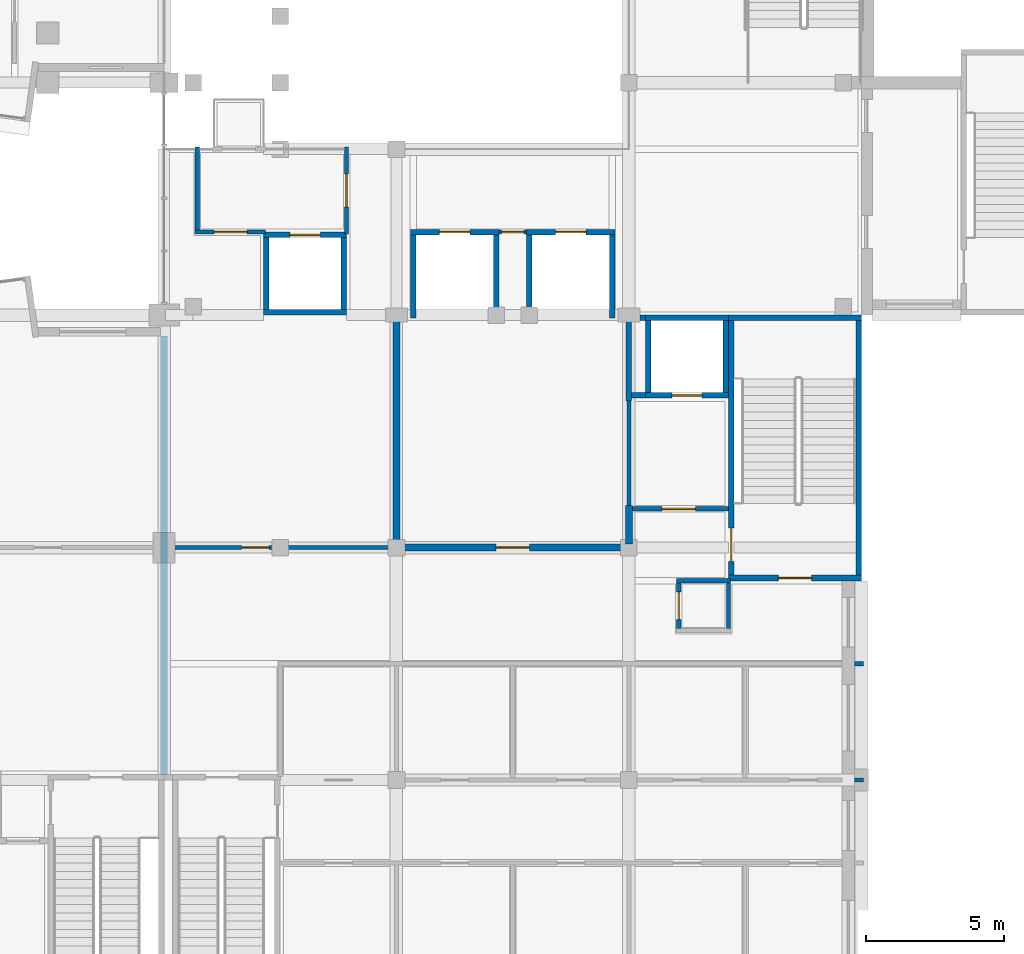
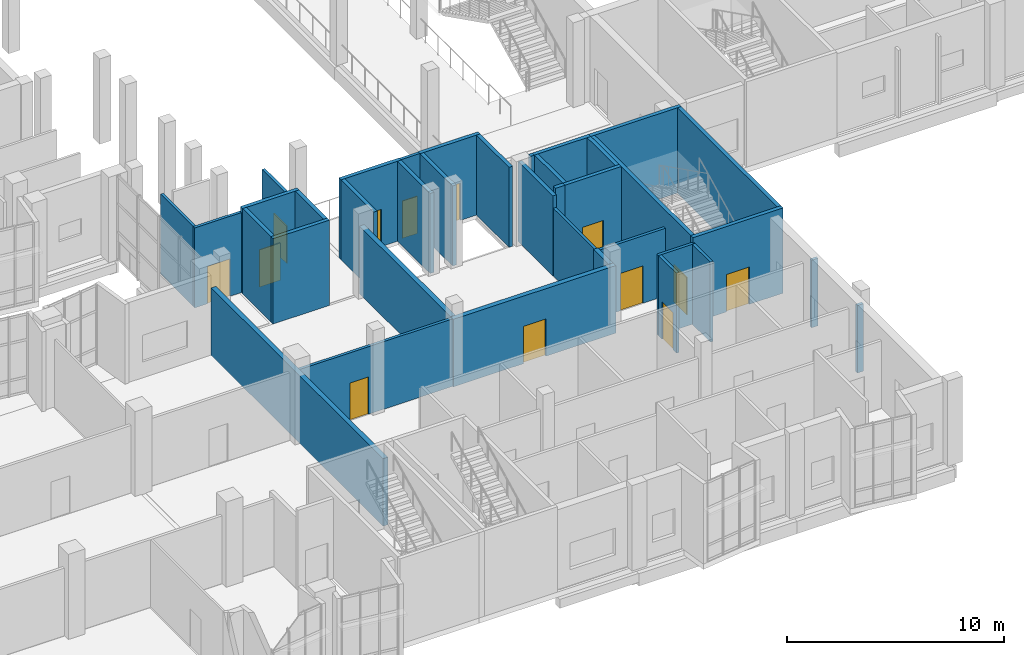
# One storey, part 32 of 91: 37 walls, 13 doors, 13 openings.
"""IFC4 building model written with IfcOpenShell, lengths in metres."""

from ifc_helpers import new_model, si_unit, direction, frame, frame_2d, origin, place, context, subcontext, project, spatial, rectangle, extrude, material, layer, layer_set, type_object, element, fill, save


model = new_model("IFC4")

# Units and contexts
model_context = context("Model", 3, precision=1e-05, world=origin(), true_north=direction((0.0, 1.0)))
body_context = subcontext(model_context, "Body", "Model", "MODEL_VIEW")
ifc_project = project(units=[si_unit("LENGTHUNIT", "METRE"), si_unit("AREAUNIT", "SQUARE_METRE"), si_unit("VOLUMEUNIT", "CUBIC_METRE"), si_unit("PLANEANGLEUNIT", "RADIAN"), si_unit("MASSUNIT", "GRAM", prefix="KILO")], contexts=[model_context])

# Site, building, storey
site_placement = place(None, origin())
site = spatial("IfcSite", under=ifc_project, at=site_placement, CompositionType="ELEMENT")
building_placement = place(site_placement, origin())
building = spatial("IfcBuilding", under=site, at=building_placement, Name="Kiln Court Media Centre", CompositionType="ELEMENT")
storey_placement = place(building_placement, frame((0.0, 0.0, 5.39990234375)))
storey = spatial("IfcBuildingStorey", under=building, at=storey_placement, Name="L01", CompositionType="ELEMENT", Elevation=5.39990234375)

# Wall
ifc_material_1 = material(Name="Concrete block masonry M10", Category="masonry")
ifc_layer_1 = layer(ifc_material_1, 0.25)
ifc_layer_set_1 = layer_set([ifc_layer_1], Name="Block fire wall 250 EI 240")
wall_type_1 = type_object("IfcWallType", Name="Block fire wall 250 EI 240", PredefinedType="SOLIDWALL", material=ifc_layer_set_1)
wall_1_placement = place(storey_placement, frame((33.60009765625, 8.60009765625, 0.0), z_axis=(0.0, 0.0, 1.0), x_axis=(0.0, 1.0, 0.0)))
element("IfcWall", 1, at=wall_1_placement, inside=storey, type_object=wall_type_1, Name="L01 block fire wall", PredefinedType="SOLIDWALL", context=body_context, shape_type="SweptSolid", body=[
    extrude(rectangle(XDim=15.849853515625, YDim=0.25, at=frame_2d((7.9248046875, 0.0))), origin(), (0.0, 0.0, 1.0), 3.800048828125),
])

# Wall, opening, door
ifc_material_2 = material(Name="Concrete block masonry M7.5", Category="masonry")
ifc_layer_2 = layer(ifc_material_2, 0.14990234375)
ifc_layer_set_2 = layer_set([ifc_layer_2], Name="Block lobby wall 150 EI 120")
wall_type_2 = type_object("IfcWallType", Name="Block lobby wall 150 EI 120", PredefinedType="SOLIDWALL", material=ifc_layer_set_2)
wall_2_placement = place(storey_placement, frame((50.52490234375, 18.199951171875, 0.0), z_axis=(0.0, 0.0, 1.0), x_axis=(1.0, 0.0, 0.0)))
wall_2 = element("IfcWall", 2, at=wall_2_placement, inside=storey, type_object=wall_type_2, Name="L01 block lobby wall", PredefinedType="SOLIDWALL", context=body_context, shape_type="SweptSolid", body=[
    extrude(rectangle(XDim=3.47509765625, YDim=0.14990234375, at=frame_2d((1.737548828125, 0.0))), origin(), (0.0, 0.0, 1.0), 3.800048828125),
])
opening_1_placement = place(wall_2_placement, frame((1.074951171875, 0.0, 0.0)))
opening_1 = element("IfcOpeningElement", 3, at=opening_1_placement, cuts=wall_2, Name="Opening D1057", PredefinedType="OPENING", context=body_context, shape_type="SweptSolid", body=[
    extrude(rectangle(XDim=1.199951171875, YDim=2.10009765625, at=frame_2d((0.60009765625, 1.050048828125))), frame((0.0, 0.0849609375, 0.0), z_axis=(0.0, -1.0, 0.0), x_axis=(1.0, 0.0, 0.0)), (0.0, 0.0, 1.0), 0.169921875),
])
ifc_material_3 = material(Name="Steel S275", Category="steel")
door_type_1 = type_object("IfcDoorType", Name="Steel lobby door 1200 x 2100 FD120", OperationType="SINGLE_SWING_LEFT", PredefinedType="DOOR", material=ifc_material_3)
door_1_placement = place(opening_1_placement, origin())
door_1 = element("IfcDoor", 4, at=door_1_placement, inside=storey, type_object=door_type_1, Name="Stair 5 Lobby / Fire-fighting Lift Lobby", OperationType="SINGLE_SWING_RIGHT", OverallHeight=2.10009765625, OverallWidth=1.199951171875, PredefinedType="DOOR", context=body_context, shape_type="SweptSolid", body=[
    extrude(rectangle(XDim=1.199951171875, YDim=2.10009765625, at=frame_2d((0.60009765625, 1.050048828125))), frame((0.0, 0.02490234375, 0.0), z_axis=(0.0, -1.0, 0.0), x_axis=(1.0, 0.0, 0.0)), (0.0, 0.0, 1.0), 0.050048828125),
])
fill(opening_1, door_1)

wall_3_placement = place(storey_placement, frame((34.72509765625, 28.199951171875, 0.0), z_axis=(0.0, 0.0, 1.0), x_axis=(1.0, 0.0, 0.0)))
wall_3 = element("IfcWall", 5, at=wall_3_placement, inside=storey, type_object=wall_type_2, Name="L01 block lobby wall", PredefinedType="SOLIDWALL", context=body_context, shape_type="SweptSolid", body=[
    extrude(rectangle(XDim=2.5498046875, YDim=0.14990234375, at=frame_2d((1.27490234375, 0.0))), origin(), (0.0, 0.0, 1.0), 4.5),
])
opening_2_placement = place(wall_3_placement, frame((0.675048828125, 0.0, 0.0)))
opening_2 = element("IfcOpeningElement", 6, at=opening_2_placement, cuts=wall_3, Name="Opening D1076", PredefinedType="OPENING", context=body_context, shape_type="SweptSolid", body=[
    extrude(rectangle(XDim=1.199951171875, YDim=2.10009765625, at=frame_2d((0.60009765625, 1.050048828125))), frame((0.0, 0.0849609375, 0.0), z_axis=(0.0, -1.0, 0.0), x_axis=(1.0, 0.0, 0.0)), (0.0, 0.0, 1.0), 0.169921875),
])
door_2_placement = place(opening_2_placement, origin())
door_2 = element("IfcDoor", 7, at=door_2_placement, inside=storey, type_object=door_type_1, Name="South Gallery West / Fire-fighting Lift Lobby", OperationType="SINGLE_SWING_RIGHT", OverallHeight=2.10009765625, OverallWidth=1.199951171875, PredefinedType="DOOR", context=body_context, shape_type="SweptSolid", body=[
    extrude(rectangle(XDim=1.199951171875, YDim=2.10009765625, at=frame_2d((0.60009765625, 1.050048828125))), frame((0.0, 0.02490234375, 0.0), z_axis=(0.0, -1.0, 0.0), x_axis=(1.0, 0.0, 0.0)), (0.0, 0.0, 1.0), 0.050048828125),
])
fill(opening_2, door_2)

# Wall
wall_4_placement = place(storey_placement, frame((34.800048828125, 28.27490234375, 0.0), z_axis=(0.0, 0.0, 1.0), x_axis=(0.0, 1.0, 0.0)))
element("IfcWall", 8, at=wall_4_placement, inside=storey, type_object=wall_type_2, Name="L01 block lobby wall", PredefinedType="SOLIDWALL", context=body_context, shape_type="SweptSolid", body=[
    extrude(rectangle(XDim=3.0, YDim=0.14990234375, at=frame_2d((1.5, 0.0))), origin(), (0.0, 0.0, 1.0), 4.5),
])

# Wall, opening, door
wall_5_placement = place(storey_placement, frame((40.199951171875, 28.125, 0.0), z_axis=(0.0, 0.0, 1.0), x_axis=(0.0, 1.0, 0.0)))
wall_5 = element("IfcWall", 9, at=wall_5_placement, inside=storey, type_object=wall_type_2, Name="L01 block lobby wall", PredefinedType="SOLIDWALL", context=body_context, shape_type="SweptSolid", body=[
    extrude(rectangle(XDim=3.14990234375, YDim=0.14990234375, at=frame_2d((1.574951171875, 0.0))), origin(), (0.0, 0.0, 1.0), 4.0),
])
opening_3_placement = place(wall_5_placement, frame((0.97509765625, 0.0, 0.0)))
opening_3 = element("IfcOpeningElement", 10, at=opening_3_placement, cuts=wall_5, Name="Opening D1075", PredefinedType="OPENING", context=body_context, shape_type="SweptSolid", body=[
    extrude(rectangle(XDim=1.199951171875, YDim=2.10009765625, at=frame_2d((0.60009765625, 1.050048828125))), frame((0.0, 0.0849609375, 0.0), z_axis=(0.0, -1.0, 0.0), x_axis=(1.0, 0.0, 0.0)), (0.0, 0.0, 1.0), 0.169921875),
])
door_3_placement = place(opening_3_placement, origin())
door_3 = element("IfcDoor", 11, at=door_3_placement, inside=storey, type_object=door_type_1, Name="South Gallery Link / Fire-fighting Lift Lobby", OperationType="SINGLE_SWING_RIGHT", OverallHeight=2.10009765625, OverallWidth=1.199951171875, PredefinedType="DOOR", context=body_context, shape_type="SweptSolid", body=[
    extrude(rectangle(XDim=1.199951171875, YDim=2.10009765625, at=frame_2d((0.60009765625, 1.050048828125))), frame((0.0, 0.02490234375, 0.0), z_axis=(0.0, -1.0, 0.0), x_axis=(1.0, 0.0, 0.0)), (0.0, 0.0, 1.0), 0.050048828125),
])
fill(opening_3, door_3)

# Wall
wall_6_placement = place(storey_placement, frame((50.39990234375, 18.324951171875, 0.0), z_axis=(0.0, 0.0, 1.0), x_axis=(0.0, 1.0, 0.0)))
element("IfcWall", 12, at=wall_6_placement, inside=storey, type_object=wall_type_2, Name="L01 block lobby wall", PredefinedType="SOLIDWALL", context=body_context, shape_type="SweptSolid", body=[
    extrude(rectangle(XDim=3.775146484375, YDim=0.14990234375, at=frame_2d((1.8876953125, 0.0))), origin(), (0.0, 0.0, 1.0), 3.800048828125),
])

# Wall, opening, door
ifc_material_4 = material(Name="Concrete block masonry M10", Category="masonry")
ifc_layer_3 = layer(ifc_material_4, 0.14990234375)
ifc_layer_set_3 = layer_set([ifc_layer_3], Name="Block riser wall 150 EI 120")
wall_type_3 = type_object("IfcWallType", Name="Block riser wall 150 EI 120", PredefinedType="SOLIDWALL", material=ifc_layer_set_3)
wall_7_placement = place(storey_placement, frame((45.699951171875, 28.199951171875, 0.0), z_axis=(0.0, 0.0, 1.0), x_axis=(1.0, 0.0, 0.0)))
wall_7 = element("IfcWall", 13, at=wall_7_placement, inside=storey, type_object=wall_type_3, Name="L01 block riser wall", PredefinedType="SOLIDWALL", context=body_context, shape_type="SweptSolid", body=[
    extrude(rectangle(XDim=1.0, YDim=0.14990234375, at=frame_2d((0.5, 0.0))), origin(), (0.0, 0.0, 1.0), 4.5),
])
opening_4_placement = place(wall_7_placement, frame((0.10009765625, 0.0, 0.0)))
opening_4 = element("IfcOpeningElement", 14, at=opening_4_placement, cuts=wall_7, Name="Opening D1071", PredefinedType="OPENING", context=body_context, shape_type="SweptSolid", body=[
    extrude(rectangle(XDim=0.800048828125, YDim=2.10009765625, at=frame_2d((0.39990234375, 1.050048828125))), frame((0.0, 0.0849609375, 0.0), z_axis=(0.0, -1.0, 0.0), x_axis=(1.0, 0.0, 0.0)), (0.0, 0.0, 1.0), 0.169921875),
])
ifc_material_5 = material(Name="Steel S275", Category="steel")
door_type_2 = type_object("IfcDoorType", Name="Steel riser door 800 x 2100 FD90", OperationType="SINGLE_SWING_LEFT", PredefinedType="DOOR", material=ifc_material_5)
door_4_placement = place(opening_4_placement, origin())
door_4 = element("IfcDoor", 15, at=door_4_placement, inside=storey, type_object=door_type_2, Name="Riser / Glass Lift Landing", OperationType="SINGLE_SWING_RIGHT", OverallHeight=2.10009765625, OverallWidth=0.800048828125, PredefinedType="DOOR", context=body_context, shape_type="SweptSolid", body=[
    extrude(rectangle(XDim=0.800048828125, YDim=2.10009765625, at=frame_2d((0.39990234375, 1.050048828125))), frame((0.0, 0.02490234375, 0.0), z_axis=(0.0, -1.0, 0.0), x_axis=(1.0, 0.0, 0.0)), (0.0, 0.0, 1.0), 0.050048828125),
])
fill(opening_4, door_4)

ifc_material_6 = material(Name="Concrete C40/50", Category="concrete")
ifc_layer_4 = layer(ifc_material_6, 0.199951171875)
ifc_layer_set_4 = layer_set([ifc_layer_4], Name="Concrete C40/50 lift shaft wall 200 EI 240")
wall_type_4 = type_object("IfcWallType", Name="Concrete C40/50 lift shaft wall 200 EI 240", PredefinedType="SHEAR", material=ifc_layer_set_4)
wall_8_placement = place(storey_placement, frame((42.5, 28.199951171875, 0.0), z_axis=(0.0, 0.0, 1.0), x_axis=(1.0, 0.0, 0.0)))
wall_8 = element("IfcWall", 16, at=wall_8_placement, inside=storey, type_object=wall_type_4, Name="L01 concrete c40/50 lift shaft wall", PredefinedType="SHEAR", context=body_context, shape_type="SweptSolid", body=[
    extrude(rectangle(XDim=3.199951171875, YDim=0.199951171875, at=frame_2d((1.60009765625, 0.0))), origin(), (0.0, 0.0, 1.0), 4.5),
])
opening_5_placement = place(wall_8_placement, frame((1.050048828125, 0.0, 0.0)))
opening_5 = element("IfcOpeningElement", 17, at=opening_5_placement, cuts=wall_8, Name="Opening LD107", PredefinedType="OPENING", context=body_context, shape_type="SweptSolid", body=[
    extrude(rectangle(XDim=1.10009765625, YDim=2.10009765625, at=frame_2d((0.550048828125, 1.050048828125))), frame((0.0, 0.10986328125, 0.0), z_axis=(0.0, -1.0, 0.0), x_axis=(1.0, 0.0, 0.0)), (0.0, 0.0, 1.0), 0.219970703125),
])
ifc_material_7 = material(Name="Stainless steel", Category="steel")
door_type_3 = type_object("IfcDoorType", Name="Lift landing door 1100 x 2100 FD120", OperationType="SLIDING_TO_LEFT", PredefinedType="DOOR", material=ifc_material_7)
door_5_placement = place(opening_5_placement, origin())
door_5 = element("IfcDoor", 18, at=door_5_placement, inside=storey, type_object=door_type_3, Name="LF-07 landing door L01", OperationType="SLIDING_TO_LEFT", OverallHeight=2.10009765625, OverallWidth=1.10009765625, PredefinedType="DOOR", context=body_context, shape_type="SweptSolid", body=[
    extrude(rectangle(XDim=1.10009765625, YDim=2.10009765625, at=frame_2d((0.550048828125, 1.050048828125))), frame((0.0, 0.02490234375, 0.0), z_axis=(0.0, -1.0, 0.0), x_axis=(1.0, 0.0, 0.0)), (0.0, 0.0, 1.0), 0.050048828125),
])
fill(opening_5, door_5)

wall_9_placement = place(storey_placement, frame((46.699951171875, 28.199951171875, 0.0), z_axis=(0.0, 0.0, 1.0), x_axis=(1.0, 0.0, 0.0)))
wall_9 = element("IfcWall", 19, at=wall_9_placement, inside=storey, type_object=wall_type_4, Name="L01 concrete c40/50 lift shaft wall", PredefinedType="SHEAR", context=body_context, shape_type="SweptSolid", body=[
    extrude(rectangle(XDim=3.199951171875, YDim=0.199951171875, at=frame_2d((1.60009765625, 0.0))), origin(), (0.0, 0.0, 1.0), 4.5),
])
opening_6_placement = place(wall_9_placement, frame((1.050048828125, 0.0, 0.0)))
opening_6 = element("IfcOpeningElement", 20, at=opening_6_placement, cuts=wall_9, Name="Opening LD108", PredefinedType="OPENING", context=body_context, shape_type="SweptSolid", body=[
    extrude(rectangle(XDim=1.10009765625, YDim=2.10009765625, at=frame_2d((0.550048828125, 1.050048828125))), frame((0.0, 0.10986328125, 0.0), z_axis=(0.0, -1.0, 0.0), x_axis=(1.0, 0.0, 0.0)), (0.0, 0.0, 1.0), 0.219970703125),
])
door_6_placement = place(opening_6_placement, origin())
door_6 = element("IfcDoor", 21, at=door_6_placement, inside=storey, type_object=door_type_3, Name="LF-08 landing door L01", OperationType="SLIDING_TO_LEFT", OverallHeight=2.10009765625, OverallWidth=1.10009765625, PredefinedType="DOOR", context=body_context, shape_type="SweptSolid", body=[
    extrude(rectangle(XDim=1.10009765625, YDim=2.10009765625, at=frame_2d((0.550048828125, 1.050048828125))), frame((0.0, 0.02490234375, 0.0), z_axis=(0.0, -1.0, 0.0), x_axis=(1.0, 0.0, 0.0)), (0.0, 0.0, 1.0), 0.050048828125),
])
fill(opening_6, door_6)

# Walls
for number, where, z_axis, x_axis, name in (
    (22, (42.60009765625, 25.10009765625, 0.0), (0.0, 0.0, 1.0), (0.0, 1.0, 0.0), "L01 concrete c40/50 lift shaft wall"),
    (23, (45.60009765625, 25.10009765625, 0.0), (0.0, 0.0, 1.0), (0.0, 1.0, 0.0), "L01 concrete c40/50 lift shaft wall"),
    (24, (46.800048828125, 25.10009765625, 0.0), (0.0, 0.0, 1.0), (0.0, 1.0, 0.0), "L01 concrete c40/50 lift shaft wall"),
    (25, (49.800048828125, 25.10009765625, 0.0), (0.0, 0.0, 1.0), (0.0, 1.0, 0.0), "L01 concrete c40/50 lift shaft wall"),
):
    element("IfcWall", number, at=place(storey_placement, frame(where, z_axis=z_axis, x_axis=x_axis)), inside=storey, type_object=wall_type_4, Name=name, PredefinedType="SHEAR", context=body_context, shape_type="SweptSolid", body=[
        extrude(rectangle(XDim=3.0, YDim=0.199951171875, at=frame_2d((1.5, 0.0))), origin(), (0.0, 0.0, 1.0), 4.5),
    ])
wall_10_placement = place(storey_placement, frame((50.39990234375, 22.10009765625, 0.0), z_axis=(0.0, 0.0, 1.0), x_axis=(0.0, 1.0, 0.0)))
element("IfcWall", 26, at=wall_10_placement, inside=storey, type_object=wall_type_4, Name="L01 concrete c40/50 lift shaft wall", PredefinedType="SHEAR", context=body_context, shape_type="SweptSolid", body=[
    extrude(rectangle(XDim=3.199951171875, YDim=0.199951171875, at=frame_2d((1.60009765625, 0.0))), origin(), (0.0, 0.0, 1.0), 4.5),
])

# Wall, opening, door
ifc_material_8 = material(Name="Concrete C40/50", Category="concrete")
ifc_layer_5 = layer(ifc_material_8, 0.199951171875)
ifc_layer_set_5 = layer_set([ifc_layer_5], Name="Concrete C40/50 shear wall 200")
wall_type_5 = type_object("IfcWallType", Name="Concrete C40/50 shear wall 200", PredefinedType="SHEAR", material=ifc_layer_set_5)
wall_11_placement = place(storey_placement, frame((58.800048828125, 15.699951171875, 0.0), z_axis=(0.0, 0.0, 1.0), x_axis=(-1.0, 0.0, 0.0)))
wall_11 = element("IfcWall", 27, at=wall_11_placement, inside=storey, type_object=wall_type_5, Name="L01-W-1016", PredefinedType="SHEAR", context=body_context, shape_type="SweptSolid", body=[
    extrude(rectangle(XDim=4.800048828125, YDim=0.199951171875, at=frame_2d((2.39990234375, 0.0))), origin(), (0.0, 0.0, 1.0), 4.800048828125),
])
opening_7_placement = place(wall_11_placement, frame((1.800048828125, 0.0, 0.0)))
opening_7 = element("IfcOpeningElement", 28, at=opening_7_placement, cuts=wall_11, Name="Opening D1017", PredefinedType="OPENING", context=body_context, shape_type="SweptSolid", body=[
    extrude(rectangle(XDim=1.199951171875, YDim=2.10009765625, at=frame_2d((0.60009765625, 1.050048828125))), frame((0.0, 0.10986328125, 0.0), z_axis=(0.0, -1.0, 0.0), x_axis=(1.0, 0.0, 0.0)), (0.0, 0.0, 1.0), 0.219970703125),
])
ifc_material_9 = material(Name="Steel S275", Category="steel")
door_type_4 = type_object("IfcDoorType", Name="Steel stair door 1200 x 2100 FD180", OperationType="SINGLE_SWING_LEFT", PredefinedType="DOOR", material=ifc_material_9)
door_7_placement = place(opening_7_placement, origin())
door_7 = element("IfcDoor", 29, at=door_7_placement, inside=storey, type_object=door_type_4, Name="Editing Corridor / Stair 5", OperationType="SINGLE_SWING_RIGHT", OverallHeight=2.10009765625, OverallWidth=1.199951171875, PredefinedType="DOOR", context=body_context, shape_type="SweptSolid", body=[
    extrude(rectangle(XDim=1.199951171875, YDim=2.10009765625, at=frame_2d((0.60009765625, 1.050048828125))), frame((0.0, 0.02490234375, 0.0), z_axis=(0.0, -1.0, 0.0), x_axis=(1.0, 0.0, 0.0)), (0.0, 0.0, 1.0), 0.050048828125),
])
fill(opening_7, door_7)

# Wall
wall_12_placement = place(storey_placement, frame((54.0, 25.10009765625, 0.0), z_axis=(0.0, 0.0, 1.0), x_axis=(1.0, 0.0, 0.0)))
element("IfcWall", 30, at=wall_12_placement, inside=storey, type_object=wall_type_5, Name="L01-W-1017", PredefinedType="SHEAR", context=body_context, shape_type="SweptSolid", body=[
    extrude(rectangle(XDim=4.800048828125, YDim=0.199951171875, at=frame_2d((2.39990234375, 0.0))), origin(), (0.0, 0.0, 1.0), 4.800048828125),
])

# Wall, opening, door
wall_13_placement = place(storey_placement, frame((54.10009765625, 15.800048828125, 0.0), z_axis=(0.0, 0.0, 1.0), x_axis=(0.0, 1.0, 0.0)))
wall_13 = element("IfcWall", 31, at=wall_13_placement, inside=storey, type_object=wall_type_5, Name="L01-W-1018", PredefinedType="SHEAR", context=body_context, shape_type="SweptSolid", body=[
    extrude(rectangle(XDim=9.199951171875, YDim=0.199951171875, at=frame_2d((4.60009765625, 0.0))), origin(), (0.0, 0.0, 1.0), 4.800048828125),
])
opening_8_placement = place(wall_13_placement, frame((0.5, 0.0, 0.0)))
opening_8 = element("IfcOpeningElement", 32, at=opening_8_placement, cuts=wall_13, Name="Opening D1018", PredefinedType="OPENING", context=body_context, shape_type="SweptSolid", body=[
    extrude(rectangle(XDim=1.199951171875, YDim=2.10009765625, at=frame_2d((0.60009765625, 1.050048828125))), frame((0.0, 0.10986328125, 0.0), z_axis=(0.0, -1.0, 0.0), x_axis=(1.0, 0.0, 0.0)), (0.0, 0.0, 1.0), 0.219970703125),
])
door_8_placement = place(opening_8_placement, origin())
door_8 = element("IfcDoor", 33, at=door_8_placement, inside=storey, type_object=door_type_4, Name="Stair 5 Lobby / Stair 5", OperationType="SINGLE_SWING_LEFT", OverallHeight=2.10009765625, OverallWidth=1.199951171875, PredefinedType="DOOR", context=body_context, shape_type="SweptSolid", body=[
    extrude(rectangle(XDim=1.199951171875, YDim=2.10009765625, at=frame_2d((0.60009765625, 1.050048828125))), frame((0.0, 0.02490234375, 0.0), z_axis=(0.0, -1.0, 0.0), x_axis=(1.0, 0.0, 0.0)), (0.0, 0.0, 1.0), 0.050048828125),
])
fill(opening_8, door_8)

# Wall
wall_14_placement = place(storey_placement, frame((58.699951171875, 25.0, 0.0), z_axis=(0.0, 0.0, 1.0), x_axis=(0.0, -1.0, 0.0)))
element("IfcWall", 34, at=wall_14_placement, inside=storey, type_object=wall_type_5, Name="L01-W-1019", PredefinedType="SHEAR", context=body_context, shape_type="SweptSolid", body=[
    extrude(rectangle(XDim=9.199951171875, YDim=0.199951171875, at=frame_2d((4.60009765625, 0.0))), origin(), (0.0, 0.0, 1.0), 4.800048828125),
])

# Wall, opening, door
wall_15_placement = place(storey_placement, frame((54.0, 22.300048828125, 0.0), z_axis=(0.0, 0.0, 1.0), x_axis=(-1.0, 0.0, 0.0)))
wall_15 = element("IfcWall", 35, at=wall_15_placement, inside=storey, type_object=wall_type_5, Name="L01-W-1078", PredefinedType="SHEAR", context=body_context, shape_type="SweptSolid", body=[
    extrude(rectangle(XDim=3.0, YDim=0.199951171875, at=frame_2d((1.5, 0.0))), origin(), (0.0, 0.0, 1.0), 4.800048828125),
])
opening_9_placement = place(wall_15_placement, frame((0.949951171875, 0.0, 0.0)))
opening_9 = element("IfcOpeningElement", 36, at=opening_9_placement, cuts=wall_15, Name="Opening LD104", PredefinedType="OPENING", context=body_context, shape_type="SweptSolid", body=[
    extrude(rectangle(XDim=1.10009765625, YDim=2.10009765625, at=frame_2d((0.550048828125, 1.050048828125))), frame((0.0, 0.10986328125, 0.0), z_axis=(0.0, -1.0, 0.0), x_axis=(1.0, 0.0, 0.0)), (0.0, 0.0, 1.0), 0.219970703125),
])
ifc_material_10 = material(Name="Stainless steel", Category="steel")
door_type_5 = type_object("IfcDoorType", Name="Firefighting lift landing door 1100 x 2100 FD120", OperationType="SLIDING_TO_LEFT", PredefinedType="DOOR", material=ifc_material_10)
door_9_placement = place(opening_9_placement, origin())
door_9 = element("IfcDoor", 37, at=door_9_placement, inside=storey, type_object=door_type_5, Name="LF-04 landing door L01", OperationType="SLIDING_TO_LEFT", OverallHeight=2.10009765625, OverallWidth=1.10009765625, PredefinedType="DOOR", context=body_context, shape_type="SweptSolid", body=[
    extrude(rectangle(XDim=1.10009765625, YDim=2.10009765625, at=frame_2d((0.550048828125, 1.050048828125))), frame((0.0, 0.02490234375, 0.0), z_axis=(0.0, -1.0, 0.0), x_axis=(1.0, 0.0, 0.0)), (0.0, 0.0, 1.0), 0.050048828125),
])
fill(opening_9, door_9)

# Walls
wall_16_placement = place(storey_placement, frame((51.0, 25.10009765625, 0.0), z_axis=(0.0, 0.0, 1.0), x_axis=(1.0, 0.0, 0.0)))
element("IfcWall", 38, at=wall_16_placement, inside=storey, type_object=wall_type_5, Name="L01-W-1079", PredefinedType="SHEAR", context=body_context, shape_type="SweptSolid", body=[
    extrude(rectangle(XDim=3.0, YDim=0.199951171875, at=frame_2d((1.5, 0.0))), origin(), (0.0, 0.0, 1.0), 4.800048828125),
])
for number, where, z_axis, x_axis, name in (
    (39, (51.10009765625, 22.39990234375, 0.0), (0.0, 0.0, 1.0), (0.0, 1.0, 0.0), "L01-W-1080"),
    (40, (53.89990234375, 25.0, 0.0), (0.0, 0.0, 1.0), (0.0, -1.0, 0.0), "L01-W-1081"),
):
    element("IfcWall", number, at=place(storey_placement, frame(where, z_axis=z_axis, x_axis=x_axis)), inside=storey, type_object=wall_type_5, Name=name, PredefinedType="SHEAR", context=body_context, shape_type="SweptSolid", body=[
        extrude(rectangle(XDim=2.60009765625, YDim=0.199951171875, at=frame_2d((1.300048828125, 0.0))), origin(), (0.0, 0.0, 1.0), 4.800048828125),
    ])
wall_17_placement = place(storey_placement, frame((40.199951171875, 25.300048828125, 0.0), z_axis=(0.0, 0.0, 1.0), x_axis=(-1.0, 0.0, 0.0)))
element("IfcWall", 41, at=wall_17_placement, inside=storey, type_object=wall_type_5, Name="L01-W-1106", PredefinedType="SHEAR", context=body_context, shape_type="SweptSolid", body=[
    extrude(rectangle(XDim=3.0, YDim=0.199951171875, at=frame_2d((1.5, 0.0))), origin(), (0.0, 0.0, 1.0), 4.800048828125),
])

# Wall, opening, door
wall_18_placement = place(storey_placement, frame((37.199951171875, 28.10009765625, 0.0), z_axis=(0.0, 0.0, 1.0), x_axis=(1.0, 0.0, 0.0)))
wall_18 = element("IfcWall", 42, at=wall_18_placement, inside=storey, type_object=wall_type_5, Name="L01-W-1107", PredefinedType="SHEAR", context=body_context, shape_type="SweptSolid", body=[
    extrude(rectangle(XDim=3.0, YDim=0.199951171875, at=frame_2d((1.5, 0.0))), origin(), (0.0, 0.0, 1.0), 4.800048828125),
])
opening_10_placement = place(wall_18_placement, frame((0.949951171875, 0.0, 0.0)))
opening_10 = element("IfcOpeningElement", 43, at=opening_10_placement, cuts=wall_18, Name="Opening LD113", PredefinedType="OPENING", context=body_context, shape_type="SweptSolid", body=[
    extrude(rectangle(XDim=1.10009765625, YDim=2.10009765625, at=frame_2d((0.550048828125, 1.050048828125))), frame((0.0, 0.10986328125, 0.0), z_axis=(0.0, -1.0, 0.0), x_axis=(1.0, 0.0, 0.0)), (0.0, 0.0, 1.0), 0.219970703125),
])
door_10_placement = place(opening_10_placement, origin())
door_10 = element("IfcDoor", 44, at=door_10_placement, inside=storey, type_object=door_type_5, Name="LF-13 landing door L01", OperationType="SLIDING_TO_LEFT", OverallHeight=2.10009765625, OverallWidth=1.10009765625, PredefinedType="DOOR", context=body_context, shape_type="SweptSolid", body=[
    extrude(rectangle(XDim=1.10009765625, YDim=2.10009765625, at=frame_2d((0.550048828125, 1.050048828125))), frame((0.0, 0.02490234375, 0.0), z_axis=(0.0, -1.0, 0.0), x_axis=(1.0, 0.0, 0.0)), (0.0, 0.0, 1.0), 0.050048828125),
])
fill(opening_10, door_10)

# Walls
for number, where, z_axis, x_axis, name in (
    (45, (37.300048828125, 25.39990234375, 0.0), (0.0, 0.0, 1.0), (0.0, 1.0, 0.0), "L01-W-1108"),
    (46, (40.10009765625, 28.0, 0.0), (0.0, 0.0, 1.0), (0.0, -1.0, 0.0), "L01-W-1109"),
):
    element("IfcWall", number, at=place(storey_placement, frame(where, z_axis=z_axis, x_axis=x_axis)), inside=storey, type_object=wall_type_5, Name=name, PredefinedType="SHEAR", context=body_context, shape_type="SweptSolid", body=[
        extrude(rectangle(XDim=2.60009765625, YDim=0.199951171875, at=frame_2d((1.300048828125, 0.0))), origin(), (0.0, 0.0, 1.0), 4.800048828125),
    ])
wall_19_placement = place(storey_placement, frame((51.0, 22.300048828125, 0.0), z_axis=(0.0, 0.0, 1.0), x_axis=(-1.0, 0.0, 0.0)))
element("IfcWall", 47, at=wall_19_placement, inside=storey, type_object=wall_type_5, Name="L01-W-1156", PredefinedType="SHEAR", context=body_context, shape_type="SweptSolid", body=[
    extrude(rectangle(XDim=0.5, YDim=0.199951171875, at=frame_2d((0.25, 0.0))), origin(), (0.0, 0.0, 1.0), 4.800048828125),
])
wall_20_placement = place(storey_placement, frame((50.800048828125, 25.10009765625, 0.0), z_axis=(0.0, 0.0, 1.0), x_axis=(1.0, 0.0, 0.0)))
element("IfcWall", 48, at=wall_20_placement, inside=storey, type_object=wall_type_5, Name="L01-W-1157", PredefinedType="SHEAR", context=body_context, shape_type="SweptSolid", body=[
    extrude(rectangle(XDim=0.199951171875, YDim=0.199951171875, at=frame_2d((0.10009765625, 0.0))), origin(), (0.0, 0.0, 1.0), 4.800048828125),
])

# Wall, opening, door
ifc_material_11 = material(Name="Gypsum plasterboard", Category="gypsum")
ifc_layer_6 = layer(ifc_material_11, 0.25)
ifc_layer_set_6 = layer_set([ifc_layer_6], Name="Double-leaf acoustic wall 250 EI 120")
wall_type_6 = type_object("IfcWallType", Name="Double-leaf acoustic wall 250 EI 120", PredefinedType="PARTITIONING", material=ifc_layer_set_6)
wall_21_placement = place(storey_placement, frame((41.875, 16.800048828125, 0.0), z_axis=(0.0, 0.0, 1.0), x_axis=(1.0, 0.0, 0.0)))
wall_21 = element("IfcWall", 49, at=wall_21_placement, inside=storey, type_object=wall_type_6, Name="L01 double-leaf acoustic wall", PredefinedType="PARTITIONING", context=body_context, shape_type="SweptSolid", body=[
    extrude(rectangle(XDim=8.64990234375, YDim=0.25, at=frame_2d((4.324951171875, 0.0))), origin(), (0.0, 0.0, 1.0), 3.800048828125),
])
opening_11_placement = place(wall_21_placement, frame((3.72509765625, 0.0, 0.0)))
opening_11 = element("IfcOpeningElement", 50, at=opening_11_placement, cuts=wall_21, Name="Opening D1056", PredefinedType="OPENING", context=body_context, shape_type="SweptSolid", body=[
    extrude(rectangle(XDim=1.199951171875, YDim=2.10009765625, at=frame_2d((0.60009765625, 1.050048828125))), frame((0.0, 0.135009765625, 0.0), z_axis=(0.0, -1.0, 0.0), x_axis=(1.0, 0.0, 0.0)), (0.0, 0.0, 1.0), 0.27001953125),
])
ifc_material_12 = material(Name="Steel S275", Category="steel")
door_type_6 = type_object("IfcDoorType", Name="Acoustic studio door 1200 x 2100 FD180", OperationType="SINGLE_SWING_LEFT", PredefinedType="DOOR", material=ifc_material_12)
door_11_placement = place(opening_11_placement, origin())
door_11 = element("IfcDoor", 51, at=door_11_placement, inside=storey, type_object=door_type_6, Name="Editing Corridor / Client Review Room", OperationType="SINGLE_SWING_RIGHT", OverallHeight=2.10009765625, OverallWidth=1.199951171875, PredefinedType="DOOR", context=body_context, shape_type="SweptSolid", body=[
    extrude(rectangle(XDim=1.199951171875, YDim=2.10009765625, at=frame_2d((0.60009765625, 1.050048828125))), frame((0.0, 0.02490234375, 0.0), z_axis=(0.0, -1.0, 0.0), x_axis=(1.0, 0.0, 0.0)), (0.0, 0.0, 1.0), 0.050048828125),
])
fill(opening_11, door_11)

# Walls
wall_22_placement = place(storey_placement, frame((42.0, 16.925048828125, 0.0), z_axis=(0.0, 0.0, 1.0), x_axis=(0.0, 1.0, 0.0)))
element("IfcWall", 52, at=wall_22_placement, inside=storey, type_object=wall_type_6, Name="L01 double-leaf acoustic wall", PredefinedType="PARTITIONING", context=body_context, shape_type="SweptSolid", body=[
    extrude(rectangle(XDim=8.39990234375, YDim=0.25, at=frame_2d((4.199951171875, 0.0))), origin(), (0.0, 0.0, 1.0), 3.800048828125),
])
wall_23_placement = place(storey_placement, frame((50.39990234375, 16.925048828125, 0.0), z_axis=(0.0, 0.0, 1.0), x_axis=(0.0, 1.0, 0.0)))
element("IfcWall", 53, at=wall_23_placement, inside=storey, type_object=wall_type_6, Name="L01 double-leaf acoustic wall", PredefinedType="PARTITIONING", context=body_context, shape_type="SweptSolid", body=[
    extrude(rectangle(XDim=1.39990234375, YDim=0.25, at=frame_2d((0.699951171875, 0.0))), origin(), (0.0, 0.0, 1.0), 3.800048828125),
])
ifc_material_13 = material(Name="Gypsum plasterboard", Category="gypsum")
ifc_layer_7 = layer(ifc_material_13, 0.14990234375)
ifc_layer_set_7 = layer_set([ifc_layer_7], Name="Gypsum corridor partition 150 EI 60")
wall_type_7 = type_object("IfcWallType", Name="Gypsum corridor partition 150 EI 60", PredefinedType="PARTITIONING", material=ifc_layer_set_7)
for number, where, z_axis, x_axis, name in (
    (54, (58.550048828125, 8.39990234375, 0.0), (0.0, 0.0, 1.0), (1.0, 0.0, 0.0), "L01 gypsum corridor partition"),
    (55, (58.550048828125, 12.60009765625, 0.0), (0.0, 0.0, 1.0), (1.0, 0.0, 0.0), "L01 gypsum corridor partition"),
):
    element("IfcWall", number, at=place(storey_placement, frame(where, z_axis=z_axis, x_axis=x_axis)), inside=storey, type_object=wall_type_7, Name=name, PredefinedType="PARTITIONING", context=body_context, shape_type="SweptSolid", body=[
        extrude(rectangle(XDim=0.324951171875, YDim=0.14990234375, at=frame_2d((0.16259765625, 0.0))), origin(), (0.0, 0.0, 1.0), 3.800048828125),
    ])
wall_24_placement = place(storey_placement, frame((52.125, 15.60009765625, 0.0), z_axis=(0.0, 0.0, 1.0), x_axis=(1.0, 0.0, 0.0)))
element("IfcWall", 56, at=wall_24_placement, inside=storey, type_object=wall_type_7, Name="L01 gypsum corridor partition", PredefinedType="PARTITIONING", context=body_context, shape_type="SweptSolid", body=[
    extrude(rectangle(XDim=1.949951171875, YDim=0.14990234375, at=frame_2d((0.97509765625, 0.0))), origin(), (0.0, 0.0, 1.0), 4.5),
])

# Wall, opening, door
wall_25_placement = place(storey_placement, frame((33.72509765625, 16.800048828125, 0.0), z_axis=(0.0, 0.0, 1.0), x_axis=(1.0, 0.0, 0.0)))
wall_25 = element("IfcWall", 57, at=wall_25_placement, inside=storey, type_object=wall_type_7, Name="L01 gypsum corridor partition", PredefinedType="PARTITIONING", context=body_context, shape_type="SweptSolid", body=[
    extrude(rectangle(XDim=8.14990234375, YDim=0.14990234375, at=frame_2d((4.074951171875, 0.0))), origin(), (0.0, 0.0, 1.0), 3.800048828125),
])
opening_12_placement = place(wall_25_placement, frame((2.675048828125, 0.0, 0.0)))
opening_12 = element("IfcOpeningElement", 58, at=opening_12_placement, cuts=wall_25, Name="Opening D1055", PredefinedType="OPENING", context=body_context, shape_type="SweptSolid", body=[
    extrude(rectangle(XDim=1.0, YDim=2.10009765625, at=frame_2d((0.5, 1.050048828125))), frame((0.0, 0.0849609375, 0.0), z_axis=(0.0, -1.0, 0.0), x_axis=(1.0, 0.0, 0.0)), (0.0, 0.0, 1.0), 0.169921875),
])
ifc_material_14 = material(Name="Steel S275", Category="steel")
door_type_7 = type_object("IfcDoorType", Name="Steel corridor door 1000 x 2100 FD30S", OperationType="SINGLE_SWING_LEFT", PredefinedType="DOOR", material=ifc_material_14)
door_12_placement = place(opening_12_placement, origin())
door_12 = element("IfcDoor", 59, at=door_12_placement, inside=storey, type_object=door_type_7, Name="Editing Corridor / Production Stores", OperationType="SINGLE_SWING_LEFT", OverallHeight=2.10009765625, OverallWidth=1.0, PredefinedType="DOOR", context=body_context, shape_type="SweptSolid", body=[
    extrude(rectangle(XDim=1.0, YDim=2.10009765625, at=frame_2d((0.5, 1.050048828125))), frame((0.0, 0.02490234375, 0.0), z_axis=(0.0, -1.0, 0.0), x_axis=(1.0, 0.0, 0.0)), (0.0, 0.0, 1.0), 0.050048828125),
])
fill(opening_12, door_12)

wall_26_placement = place(storey_placement, frame((52.199951171875, 13.875, 0.0), z_axis=(0.0, 0.0, 1.0), x_axis=(0.0, 1.0, 0.0)))
wall_26 = element("IfcWall", 60, at=wall_26_placement, inside=storey, type_object=wall_type_7, Name="L01 gypsum corridor partition", PredefinedType="PARTITIONING", context=body_context, shape_type="SweptSolid", body=[
    extrude(rectangle(XDim=1.64990234375, YDim=0.14990234375, at=frame_2d((0.824951171875, 0.0))), origin(), (0.0, 0.0, 1.0), 4.5),
])
opening_13_placement = place(wall_26_placement, frame((0.324951171875, 0.0, 0.0)))
opening_13 = element("IfcOpeningElement", 61, at=opening_13_placement, cuts=wall_26, Name="Opening D1054", PredefinedType="OPENING", context=body_context, shape_type="SweptSolid", body=[
    extrude(rectangle(XDim=1.0, YDim=2.10009765625, at=frame_2d((0.5, 1.050048828125))), frame((0.0, 0.0849609375, 0.0), z_axis=(0.0, -1.0, 0.0), x_axis=(1.0, 0.0, 0.0)), (0.0, 0.0, 1.0), 0.169921875),
])
door_13_placement = place(opening_13_placement, origin())
door_13 = element("IfcDoor", 62, at=door_13_placement, inside=storey, type_object=door_type_7, Name="Editing Corridor / Wheelchair Refuge", OperationType="SINGLE_SWING_LEFT", OverallHeight=2.10009765625, OverallWidth=1.0, PredefinedType="DOOR", context=body_context, shape_type="SweptSolid", body=[
    extrude(rectangle(XDim=1.0, YDim=2.10009765625, at=frame_2d((0.5, 1.050048828125))), frame((0.0, 0.02490234375, 0.0), z_axis=(0.0, -1.0, 0.0), x_axis=(1.0, 0.0, 0.0)), (0.0, 0.0, 1.0), 0.050048828125),
])
fill(opening_13, door_13)

# Wall
wall_27_placement = place(storey_placement, frame((54.0, 13.875, 0.0), z_axis=(0.0, 0.0, 1.0), x_axis=(0.0, 1.0, 0.0)))
element("IfcWall", 63, at=wall_27_placement, inside=storey, type_object=wall_type_7, Name="L01 gypsum corridor partition", PredefinedType="PARTITIONING", context=body_context, shape_type="SweptSolid", body=[
    extrude(rectangle(XDim=1.64990234375, YDim=0.14990234375, at=frame_2d((0.824951171875, 0.0))), origin(), (0.0, 0.0, 1.0), 4.5),
])

save(model, "model.ifc")
